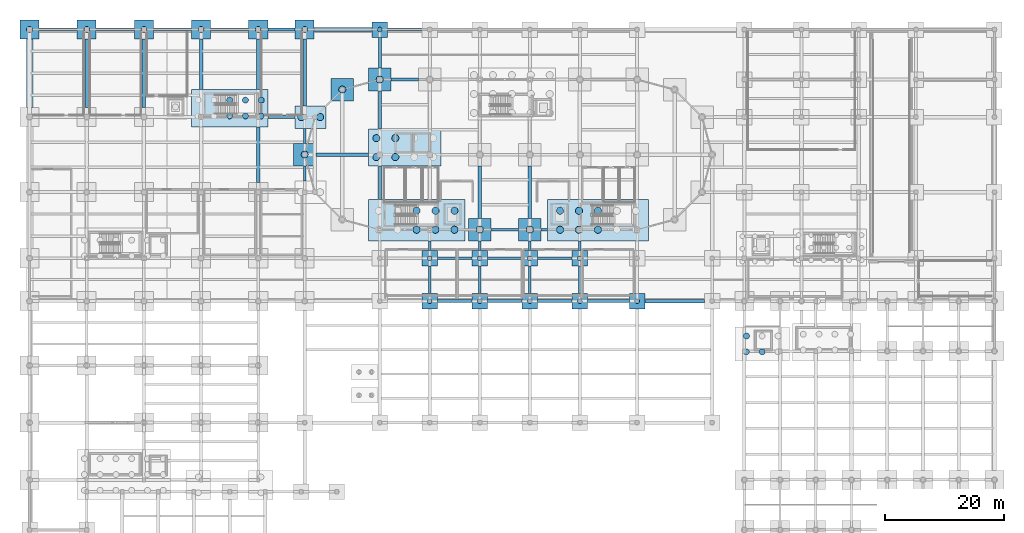
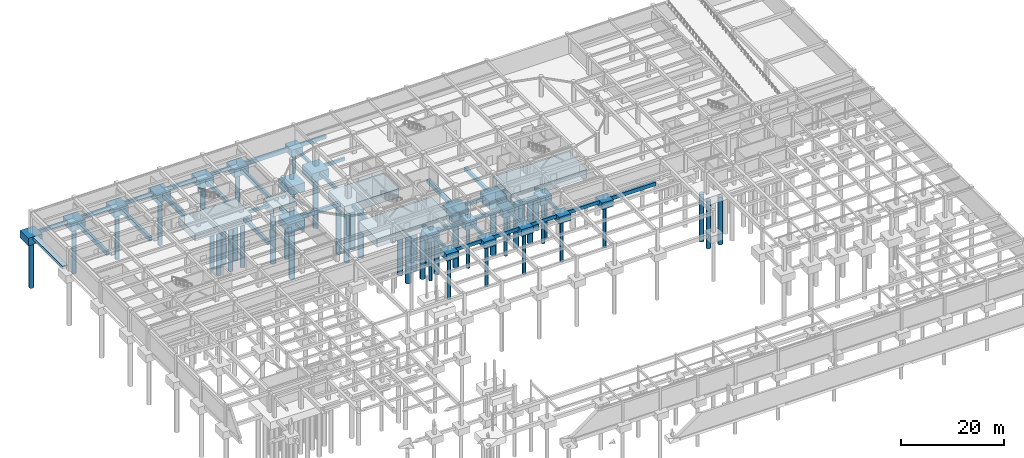
# One storey, part 4 of 37: 68 footings, 48 piles.
"""IFC4 building model written with IfcOpenShell, lengths in metres."""

from ifc_helpers import new_model, si_unit, direction, frame, origin, origin_2d, place, context, subcontext, project, spatial, rectangle, circle, extrude, material, material_profile, profile_set, type_object, element, save


model = new_model("IFC4")

# Units and contexts
model_context = context("Model", 3, precision=1e-05, world=origin(), true_north=direction((0.0, 1.0)))
body_context = subcontext(model_context, "Body", "Model", "MODEL_VIEW")
ifc_project = project(units=[si_unit("LENGTHUNIT", "METRE"), si_unit("AREAUNIT", "SQUARE_METRE"), si_unit("VOLUMEUNIT", "CUBIC_METRE"), si_unit("PLANEANGLEUNIT", "RADIAN"), si_unit("MASSUNIT", "GRAM", prefix="KILO")], contexts=[model_context])

# Site, building, storey
site_placement = place(None, origin())
site = spatial("IfcSite", under=ifc_project, at=site_placement, CompositionType="ELEMENT")
building_placement = place(site_placement, origin())
building = spatial("IfcBuilding", under=site, at=building_placement, Name="Tarnavel Promenade Courthouse", CompositionType="ELEMENT")
storey_placement = place(building_placement, frame((0.0, 0.0, -4.800048828125)))
storey = spatial("IfcBuildingStorey", under=building, at=storey_placement, Name="B01", CompositionType="ELEMENT", Elevation=-4.800048828125)

# Piles
ifc_material_1 = material(Name="Concrete C30/37", Category="concrete")
ifc_material_profile_1 = material_profile(ifc_material_1, circle(Radius=0.5, at=origin_2d()), Name="PILE D1000")
ifc_profile_set_1 = profile_set([ifc_material_profile_1], Name="Concrete C30/37")
pile_type_1 = type_object("IfcPileType", Name="Concrete C30/37 PIL-D1000 (PILE D1000)", PredefinedType="BORED", material=ifc_profile_set_1)
for number, where, z_axis, x_axis, name in (
    (1, (120.35009765625, 58.699951171875, -2.119873046875), (0.0, 0.0, -1.0), (1.0, 0.0, 0.0), "Bored Pile 093-11"),
    (2, (120.35009765625, 61.35009765625, -2.119873046875), (0.0, 0.0, -1.0), (1.0, 0.0, 0.0), "Bored Pile 093-12"),
    (3, (123.0, 58.699951171875, -2.119873046875), (0.0, 0.0, -1.0), (1.0, 0.0, 0.0), "Bored Pile 093-21"),
    (4, (33.60009765625, 98.2900390625, -2.119873046875), (0.0, 0.0, -1.0), (1.0, 0.0, 0.0), "Bored Pile 166-31"),
    (5, (33.60009765625, 100.93994140625, -2.119873046875), (0.0, 0.0, -1.0), (1.0, 0.0, 0.0), "Bored Pile 166-32"),
    (6, (36.25, 98.2900390625, -2.119873046875), (0.0, 0.0, -1.0), (1.0, 0.0, 0.0), "Bored Pile 166-41"),
    (7, (36.25, 100.93994140625, -2.119873046875), (0.0, 0.0, -1.0), (1.0, 0.0, 0.0), "Bored Pile 166-42"),
    (8, (38.89990234375, 98.2900390625, -2.119873046875), (0.0, 0.0, -1.0), (1.0, 0.0, 0.0), "Bored Pile 166-51"),
    (9, (38.89990234375, 100.93994140625, -2.119873046875), (0.0, 0.0, -1.0), (1.0, 0.0, 0.0), "Bored Pile 166-52"),
    (10, (0.0, 112.800048828125, -2.119873046875), (0.0, 0.0, -1.0), (1.0, 0.0, 0.0), "Bored Pile 185-11"),
    (11, (9.60009765625, 112.800048828125, -2.119873046875), (0.0, 0.0, -1.0), (1.0, 0.0, 0.0), "Bored Pile 186-11"),
    (12, (19.199951171875, 112.800048828125, -2.119873046875), (0.0, 0.0, -1.0), (1.0, 0.0, 0.0), "Bored Pile 187-11"),
    (13, (28.800048828125, 112.800048828125, -2.119873046875), (0.0, 0.0, -1.0), (1.0, 0.0, 0.0), "Bored Pile 188-11"),
    (14, (38.39990234375, 112.800048828125, -2.119873046875), (0.0, 0.0, -1.0), (1.0, 0.0, 0.0), "Bored Pile 189-11"),
    (15, (46.199951171875, 112.800048828125, -2.119873046875), (0.0, 0.0, -1.0), (1.0, 0.0, 0.0), "Bored Pile 190-11"),
):
    element("IfcPile", number, at=place(storey_placement, frame(where, z_axis=z_axis, x_axis=x_axis)), inside=storey, type_object=pile_type_1, Name=name, PredefinedType="BORED", context=body_context, shape_type="SweptSolid", body=[
        extrude(circle(Radius=0.5, at=origin_2d()), origin(), (0.0, 0.0, 1.0), 11.280029296875),
    ])
ifc_material_profile_2 = material_profile(ifc_material_1, circle(Radius=0.60009765625, at=origin_2d()), Name="PILE D1200")
ifc_profile_set_2 = profile_set([ifc_material_profile_2], Name="Concrete C30/37")
pile_type_2 = type_object("IfcPileType", Name="Concrete C30/37 PIL-D1200 (PILE D1200)", PredefinedType="BORED", material=ifc_profile_set_2)
for number, where, z_axis, x_axis, name in (
    (16, (64.97509765625, 79.18505859375, -2.320068359375), (0.0, 0.0, -1.0), (1.0, 0.0, 0.0), "Bored Pile 136-31"),
    (17, (64.97509765625, 82.364990234375, -2.320068359375), (0.0, 0.0, -1.0), (1.0, 0.0, 0.0), "Bored Pile 136-32"),
    (18, (68.155029296875, 79.18505859375, -2.320068359375), (0.0, 0.0, -1.0), (1.0, 0.0, 0.0), "Bored Pile 136-41"),
    (19, (68.155029296875, 82.364990234375, -2.320068359375), (0.0, 0.0, -1.0), (1.0, 0.0, 0.0), "Bored Pile 136-42"),
    (20, (71.3349609375, 79.18505859375, -2.320068359375), (0.0, 0.0, -1.0), (1.0, 0.0, 0.0), "Bored Pile 136-51"),
    (21, (71.3349609375, 82.364990234375, -2.320068359375), (0.0, 0.0, -1.0), (1.0, 0.0, 0.0), "Bored Pile 136-52"),
    (22, (75.60009765625, 79.199951171875, -2.320068359375), (0.0, 0.0, -1.0), (1.0, 0.0, 0.0), "Bored Pile 137-11"),
    (23, (84.0, 79.199951171875, -2.320068359375), (0.0, 0.0, -1.0), (1.0, 0.0, 0.0), "Bored Pile 138-11"),
    (24, (89.06494140625, 79.18505859375, -2.320068359375), (0.0, 0.0, -1.0), (1.0, 0.0, 0.0), "Bored Pile 139-11"),
    (25, (89.06494140625, 82.364990234375, -2.320068359375), (0.0, 0.0, -1.0), (1.0, 0.0, 0.0), "Bored Pile 139-12"),
    (26, (92.2451171875, 79.18505859375, -2.320068359375), (0.0, 0.0, -1.0), (1.0, 0.0, 0.0), "Bored Pile 139-21"),
    (27, (92.2451171875, 82.364990234375, -2.320068359375), (0.0, 0.0, -1.0), (1.0, 0.0, 0.0), "Bored Pile 139-22"),
    (28, (95.425048828125, 79.18505859375, -2.320068359375), (0.0, 0.0, -1.0), (1.0, 0.0, 0.0), "Bored Pile 139-31"),
    (29, (95.425048828125, 82.364990234375, -2.320068359375), (0.0, 0.0, -1.0), (1.0, 0.0, 0.0), "Bored Pile 139-32"),
    (30, (46.199951171875, 91.800048828125, -2.320068359375), (0.0, 0.0, -1.0), (1.0, 0.0, 0.0), "Bored Pile 154-11"),
    (31, (58.22998046875, 91.385009765625, -2.320068359375), (0.0, 0.0, -1.0), (1.0, 0.0, 0.0), "Bored Pile 155-11"),
    (32, (58.22998046875, 94.56494140625, -2.320068359375), (0.0, 0.0, -1.0), (1.0, 0.0, 0.0), "Bored Pile 155-12"),
    (33, (61.409912109375, 91.385009765625, -2.320068359375), (0.0, 0.0, -1.0), (1.0, 0.0, 0.0), "Bored Pile 155-21"),
    (34, (61.409912109375, 94.56494140625, -2.320068359375), (0.0, 0.0, -1.0), (1.0, 0.0, 0.0), "Bored Pile 155-22"),
    (35, (45.60400390625, 98.10009765625, -2.320068359375), (0.0, 0.0, -1.0), (1.0, 0.0, 0.0), "Bored Pile 161-11"),
    (36, (48.7841796875, 98.10009765625, -2.320068359375), (0.0, 0.0, -1.0), (1.0, 0.0, 0.0), "Bored Pile 161-21"),
    (37, (52.5, 102.7119140625, -2.320068359375), (0.0, 0.0, -1.0), (1.0, 0.0, 0.0), "Bored Pile 174-11"),
    (38, (58.800048828125, 104.39990234375, -2.320068359375), (0.0, 0.0, -1.0), (1.0, 0.0, 0.0), "Bored Pile 176-11"),
):
    element("IfcPile", number, at=place(storey_placement, frame(where, z_axis=z_axis, x_axis=x_axis)), inside=storey, type_object=pile_type_2, Name=name, PredefinedType="BORED", context=body_context, shape_type="SweptSolid", body=[
        extrude(circle(Radius=0.60009765625, at=origin_2d()), origin(), (0.0, 0.0, 1.0), 12.3798828125),
    ])
ifc_material_profile_3 = material_profile(ifc_material_1, circle(Radius=0.39990234375, at=origin_2d()), Name="PILE D800")
ifc_profile_set_3 = profile_set([ifc_material_profile_3], Name="Concrete C30/37")
pile_type_3 = type_object("IfcPileType", Name="Concrete C30/37 PIL-D800 (PILE D800)", PredefinedType="BORED", material=ifc_profile_set_3)
for number, where, z_axis, x_axis, name in (
    (39, (67.199951171875, 67.199951171875, -1.919921875), (0.0, 0.0, -1.0), (1.0, 0.0, 0.0), "Bored Pile 114-11"),
    (40, (75.60009765625, 67.199951171875, -1.919921875), (0.0, 0.0, -1.0), (1.0, 0.0, 0.0), "Bored Pile 115-11"),
    (41, (84.0, 67.199951171875, -1.919921875), (0.0, 0.0, -1.0), (1.0, 0.0, 0.0), "Bored Pile 116-11"),
    (42, (92.39990234375, 67.199951171875, -1.919921875), (0.0, 0.0, -1.0), (1.0, 0.0, 0.0), "Bored Pile 117-11"),
    (43, (102.0, 67.199951171875, -1.919921875), (0.0, 0.0, -1.0), (1.0, 0.0, 0.0), "Bored Pile 118-11"),
    (44, (67.199951171875, 74.39990234375, -1.919921875), (0.0, 0.0, -1.0), (1.0, 0.0, 0.0), "Bored Pile 126-11"),
    (45, (75.60009765625, 74.39990234375, -1.919921875), (0.0, 0.0, -1.0), (1.0, 0.0, 0.0), "Bored Pile 127-11"),
    (46, (84.0, 74.39990234375, -1.919921875), (0.0, 0.0, -1.0), (1.0, 0.0, 0.0), "Bored Pile 128-11"),
    (47, (92.39990234375, 74.39990234375, -1.919921875), (0.0, 0.0, -1.0), (1.0, 0.0, 0.0), "Bored Pile 129-11"),
    (48, (58.800048828125, 112.800048828125, -1.919921875), (0.0, 0.0, -1.0), (1.0, 0.0, 0.0), "Bored Pile 191-11"),
):
    element("IfcPile", number, at=place(storey_placement, frame(where, z_axis=z_axis, x_axis=x_axis)), inside=storey, type_object=pile_type_3, Name=name, PredefinedType="BORED", context=body_context, shape_type="SweptSolid", body=[
        extrude(circle(Radius=0.39990234375, at=origin_2d()), origin(), (0.0, 0.0, 1.0), 10.080078125),
    ])

# Footings
ifc_material_2 = material(Name="Concrete C35/45", Category="concrete")
ifc_material_profile_4 = material_profile(ifc_material_2, rectangle(XDim=0.449951171875, YDim=0.699951171875, at=origin_2d()), Name="GB 450x700")
ifc_profile_set_4 = profile_set([ifc_material_profile_4], Name="Concrete C35/45")
footing_type_1 = type_object("IfcFootingType", Name="Concrete C35/45 FTG-GB-450x700 (GB 450x700)", PredefinedType="FOOTING_BEAM", material=ifc_profile_set_4)
footing_1_placement = place(storey_placement, frame((77.5, 79.199951171875, -0.77001953125), z_axis=(1.0, 0.0, 0.0), x_axis=(0.0, 1.0, 0.0)))
element("IfcFooting", 49, at=footing_1_placement, inside=storey, type_object=footing_type_1, Name="Seismic Ground Tie Beam GB-X-115", PredefinedType="FOOTING_BEAM", context=body_context, shape_type="SweptSolid", body=[
    extrude(rectangle(XDim=0.449951171875, YDim=0.699951171875, at=origin_2d()), origin(), (0.0, 0.0, 1.0), 4.60009765625),
])
footing_2_placement = place(storey_placement, frame((85.89990234375, 79.199951171875, -0.77001953125), z_axis=(1.0, 0.0, 0.0), x_axis=(0.0, 1.0, 0.0)))
element("IfcFooting", 50, at=footing_2_placement, inside=storey, type_object=footing_type_1, Name="Seismic Ground Tie Beam GB-X-116", PredefinedType="FOOTING_BEAM", context=body_context, shape_type="SweptSolid", body=[
    extrude(rectangle(XDim=0.449951171875, YDim=0.699951171875, at=origin_2d()), origin(), (0.0, 0.0, 1.0), 1.025146484375),
])
footing_3_placement = place(storey_placement, frame((40.0, 98.10009765625, -0.77001953125), z_axis=(1.0, 0.0, 0.0), x_axis=(0.0, 1.0, 0.0)))
element("IfcFooting", 51, at=footing_3_placement, inside=storey, type_object=footing_type_1, Name="Seismic Ground Tie Beam GB-X-135", PredefinedType="FOOTING_BEAM", context=body_context, shape_type="SweptSolid", body=[
    extrude(rectangle(XDim=0.449951171875, YDim=0.699951171875, at=origin_2d()), origin(), (0.0, 0.0, 1.0), 4.593994140625),
])
for number, where, z_axis, x_axis, name in (
    (52, (60.699951171875, 104.39990234375, -0.77001953125), (1.0, 0.0, 0.0), (0.0, 1.0, 0.0), "Seismic Ground Tie Beam GB-X-141"),
    (53, (40.0, 112.800048828125, -0.77001953125), (1.0, 0.0, 0.0), (0.0, 1.0, 0.0), "Seismic Ground Tie Beam GB-X-153"),
):
    element("IfcFooting", number, at=place(storey_placement, frame(where, z_axis=z_axis, x_axis=x_axis)), inside=storey, type_object=footing_type_1, Name=name, PredefinedType="FOOTING_BEAM", context=body_context, shape_type="SweptSolid", body=[
        extrude(rectangle(XDim=0.449951171875, YDim=0.699951171875, at=origin_2d()), origin(), (0.0, 0.0, 1.0), 4.60009765625),
    ])
for number, where, z_axis, x_axis, name in (
    (54, (46.199951171875, 87.39990234375, -0.77001953125), (0.0, 1.0, 0.0), (-1.0, 0.0, 0.0), "Seismic Ground Tie Beam GB-Y-211"),
    (55, (46.199951171875, 93.699951171875, -0.77001953125), (0.0, 1.0, 0.0), (-1.0, 0.0, 0.0), "Seismic Ground Tie Beam GB-Y-212"),
):
    element("IfcFooting", number, at=place(storey_placement, frame(where, z_axis=z_axis, x_axis=x_axis)), inside=storey, type_object=footing_type_1, Name=name, PredefinedType="FOOTING_BEAM", context=body_context, shape_type="SweptSolid", body=[
        extrude(rectangle(XDim=0.449951171875, YDim=0.699951171875, at=origin_2d()), origin(), (0.0, 0.0, 1.0), 2.5),
    ])
footing_4_placement = place(storey_placement, frame((67.199951171875, 68.5, -0.77001953125), z_axis=(0.0, 1.0, 0.0), x_axis=(-1.0, 0.0, 0.0)))
element("IfcFooting", 56, at=footing_4_placement, inside=storey, type_object=footing_type_1, Name="Seismic Ground Tie Beam GB-Y-220", PredefinedType="FOOTING_BEAM", context=body_context, shape_type="SweptSolid", body=[
    extrude(rectangle(XDim=0.449951171875, YDim=0.699951171875, at=origin_2d()), origin(), (0.0, 0.0, 1.0), 4.60009765625),
])
footing_5_placement = place(storey_placement, frame((67.199951171875, 75.699951171875, -0.77001953125), z_axis=(0.0, 1.0, 0.0), x_axis=(-1.0, 0.0, 0.0)))
element("IfcFooting", 57, at=footing_5_placement, inside=storey, type_object=footing_type_1, Name="Seismic Ground Tie Beam GB-Y-221", PredefinedType="FOOTING_BEAM", context=body_context, shape_type="SweptSolid", body=[
    extrude(rectangle(XDim=0.449951171875, YDim=0.699951171875, at=origin_2d()), origin(), (0.0, 0.0, 1.0), 1.574951171875),
])
footing_6_placement = place(storey_placement, frame((75.60009765625, 68.5, -0.77001953125), z_axis=(0.0, 1.0, 0.0), x_axis=(-1.0, 0.0, 0.0)))
element("IfcFooting", 58, at=footing_6_placement, inside=storey, type_object=footing_type_1, Name="Seismic Ground Tie Beam GB-Y-226", PredefinedType="FOOTING_BEAM", context=body_context, shape_type="SweptSolid", body=[
    extrude(rectangle(XDim=0.449951171875, YDim=0.699951171875, at=origin_2d()), origin(), (0.0, 0.0, 1.0), 4.60009765625),
])
footing_7_placement = place(storey_placement, frame((75.60009765625, 75.699951171875, -0.77001953125), z_axis=(0.0, 1.0, 0.0), x_axis=(-1.0, 0.0, 0.0)))
element("IfcFooting", 59, at=footing_7_placement, inside=storey, type_object=footing_type_1, Name="Seismic Ground Tie Beam GB-Y-227", PredefinedType="FOOTING_BEAM", context=body_context, shape_type="SweptSolid", body=[
    extrude(rectangle(XDim=0.449951171875, YDim=0.699951171875, at=origin_2d()), origin(), (0.0, 0.0, 1.0), 1.60009765625),
])
footing_8_placement = place(storey_placement, frame((84.0, 68.5, -0.77001953125), z_axis=(0.0, 1.0, 0.0), x_axis=(-1.0, 0.0, 0.0)))
element("IfcFooting", 60, at=footing_8_placement, inside=storey, type_object=footing_type_1, Name="Seismic Ground Tie Beam GB-Y-232", PredefinedType="FOOTING_BEAM", context=body_context, shape_type="SweptSolid", body=[
    extrude(rectangle(XDim=0.449951171875, YDim=0.699951171875, at=origin_2d()), origin(), (0.0, 0.0, 1.0), 4.60009765625),
])
footing_9_placement = place(storey_placement, frame((84.0, 75.699951171875, -0.77001953125), z_axis=(0.0, 1.0, 0.0), x_axis=(-1.0, 0.0, 0.0)))
element("IfcFooting", 61, at=footing_9_placement, inside=storey, type_object=footing_type_1, Name="Seismic Ground Tie Beam GB-Y-233", PredefinedType="FOOTING_BEAM", context=body_context, shape_type="SweptSolid", body=[
    extrude(rectangle(XDim=0.449951171875, YDim=0.699951171875, at=origin_2d()), origin(), (0.0, 0.0, 1.0), 1.60009765625),
])
footing_10_placement = place(storey_placement, frame((92.39990234375, 68.5, -0.77001953125), z_axis=(0.0, 1.0, 0.0), x_axis=(-1.0, 0.0, 0.0)))
element("IfcFooting", 62, at=footing_10_placement, inside=storey, type_object=footing_type_1, Name="Seismic Ground Tie Beam GB-Y-238", PredefinedType="FOOTING_BEAM", context=body_context, shape_type="SweptSolid", body=[
    extrude(rectangle(XDim=0.449951171875, YDim=0.699951171875, at=origin_2d()), origin(), (0.0, 0.0, 1.0), 4.60009765625),
])
footing_11_placement = place(storey_placement, frame((92.39990234375, 75.699951171875, -0.77001953125), z_axis=(0.0, 1.0, 0.0), x_axis=(-1.0, 0.0, 0.0)))
element("IfcFooting", 63, at=footing_11_placement, inside=storey, type_object=footing_type_1, Name="Seismic Ground Tie Beam GB-Y-239", PredefinedType="FOOTING_BEAM", context=body_context, shape_type="SweptSolid", body=[
    extrude(rectangle(XDim=0.449951171875, YDim=0.699951171875, at=origin_2d()), origin(), (0.0, 0.0, 1.0), 1.574951171875),
])
ifc_material_profile_5 = material_profile(ifc_material_2, rectangle(XDim=0.5, YDim=0.800048828125, at=origin_2d()), Name="GB 500x800")
ifc_profile_set_5 = profile_set([ifc_material_profile_5], Name="Concrete C35/45")
footing_type_2 = type_object("IfcFootingType", Name="Concrete C35/45 FTG-GB-500x800 (GB 500x800)", PredefinedType="FOOTING_BEAM", material=ifc_profile_set_5)
for number, where, z_axis, x_axis, name in (
    (64, (68.5, 67.199951171875, -0.820068359375), (1.0, 0.0, 0.0), (0.0, 1.0, 0.0), "Seismic Ground Tie Beam GB-X-088"),
    (65, (76.89990234375, 67.199951171875, -0.820068359375), (1.0, 0.0, 0.0), (0.0, 1.0, 0.0), "Seismic Ground Tie Beam GB-X-089"),
    (66, (85.300048828125, 67.199951171875, -0.820068359375), (1.0, 0.0, 0.0), (0.0, 1.0, 0.0), "Seismic Ground Tie Beam GB-X-090"),
):
    element("IfcFooting", number, at=place(storey_placement, frame(where, z_axis=z_axis, x_axis=x_axis)), inside=storey, type_object=footing_type_2, Name=name, PredefinedType="FOOTING_BEAM", context=body_context, shape_type="SweptSolid", body=[
        extrude(rectangle(XDim=0.5, YDim=0.800048828125, at=origin_2d()), origin(), (0.0, 0.0, 1.0), 5.800048828125),
    ])
footing_12_placement = place(storey_placement, frame((93.699951171875, 67.199951171875, -0.820068359375), z_axis=(1.0, 0.0, 0.0), x_axis=(0.0, 1.0, 0.0)))
element("IfcFooting", 67, at=footing_12_placement, inside=storey, type_object=footing_type_2, Name="Seismic Ground Tie Beam GB-X-091", PredefinedType="FOOTING_BEAM", context=body_context, shape_type="SweptSolid", body=[
    extrude(rectangle(XDim=0.5, YDim=0.800048828125, at=origin_2d()), origin(), (0.0, 0.0, 1.0), 7.0),
])
for number, where, z_axis, x_axis, name in (
    (68, (68.5, 74.39990234375, -0.820068359375), (1.0, 0.0, 0.0), (0.0, 1.0, 0.0), "Seismic Ground Tie Beam GB-X-106"),
    (69, (76.89990234375, 74.39990234375, -0.820068359375), (1.0, 0.0, 0.0), (0.0, 1.0, 0.0), "Seismic Ground Tie Beam GB-X-107"),
    (70, (85.300048828125, 74.39990234375, -0.820068359375), (1.0, 0.0, 0.0), (0.0, 1.0, 0.0), "Seismic Ground Tie Beam GB-X-108"),
):
    element("IfcFooting", number, at=place(storey_placement, frame(where, z_axis=z_axis, x_axis=x_axis)), inside=storey, type_object=footing_type_2, Name=name, PredefinedType="FOOTING_BEAM", context=body_context, shape_type="SweptSolid", body=[
        extrude(rectangle(XDim=0.5, YDim=0.800048828125, at=origin_2d()), origin(), (0.0, 0.0, 1.0), 5.800048828125),
    ])
footing_13_placement = place(storey_placement, frame((1.60009765625, 112.800048828125, -0.820068359375), z_axis=(1.0, 0.0, 0.0), x_axis=(0.0, 1.0, 0.0)))
element("IfcFooting", 71, at=footing_13_placement, inside=storey, type_object=footing_type_2, Name="Seismic Ground Tie Beam GB-X-149", PredefinedType="FOOTING_BEAM", context=body_context, shape_type="SweptSolid", body=[
    extrude(rectangle(XDim=0.5, YDim=0.800048828125, at=origin_2d()), origin(), (0.0, 0.0, 1.0), 6.39990234375),
])
footing_14_placement = place(storey_placement, frame((11.199951171875, 112.800048828125, -0.820068359375), z_axis=(1.0, 0.0, 0.0), x_axis=(0.0, 1.0, 0.0)))
element("IfcFooting", 72, at=footing_14_placement, inside=storey, type_object=footing_type_2, Name="Seismic Ground Tie Beam GB-X-150", PredefinedType="FOOTING_BEAM", context=body_context, shape_type="SweptSolid", body=[
    extrude(rectangle(XDim=0.5, YDim=0.800048828125, at=origin_2d()), origin(), (0.0, 0.0, 1.0), 6.400146484375),
])
footing_15_placement = place(storey_placement, frame((20.800048828125, 112.800048828125, -0.820068359375), z_axis=(1.0, 0.0, 0.0), x_axis=(0.0, 1.0, 0.0)))
element("IfcFooting", 73, at=footing_15_placement, inside=storey, type_object=footing_type_2, Name="Seismic Ground Tie Beam GB-X-151", PredefinedType="FOOTING_BEAM", context=body_context, shape_type="SweptSolid", body=[
    extrude(rectangle(XDim=0.5, YDim=0.800048828125, at=origin_2d()), origin(), (0.0, 0.0, 1.0), 6.39990234375),
])
footing_16_placement = place(storey_placement, frame((30.39990234375, 112.800048828125, -0.820068359375), z_axis=(1.0, 0.0, 0.0), x_axis=(0.0, 1.0, 0.0)))
element("IfcFooting", 74, at=footing_16_placement, inside=storey, type_object=footing_type_2, Name="Seismic Ground Tie Beam GB-X-152", PredefinedType="FOOTING_BEAM", context=body_context, shape_type="SweptSolid", body=[
    extrude(rectangle(XDim=0.5, YDim=0.800048828125, at=origin_2d()), origin(), (0.0, 0.0, 1.0), 6.400146484375),
])
footing_17_placement = place(storey_placement, frame((60.10009765625, 112.800048828125, -0.820068359375), z_axis=(1.0, 0.0, 0.0), x_axis=(0.0, 1.0, 0.0)))
element("IfcFooting", 75, at=footing_17_placement, inside=storey, type_object=footing_type_2, Name="Seismic Ground Tie Beam GB-X-155", PredefinedType="FOOTING_BEAM", context=body_context, shape_type="SweptSolid", body=[
    extrude(rectangle(XDim=0.5, YDim=0.800048828125, at=origin_2d()), origin(), (0.0, 0.0, 1.0), 5.7998046875),
])
footing_18_placement = place(storey_placement, frame((58.800048828125, 84.27490234375, -0.820068359375), z_axis=(0.0, 1.0, 0.0), x_axis=(-1.0, 0.0, 0.0)))
element("IfcFooting", 76, at=footing_18_placement, inside=storey, type_object=footing_type_2, Name="Seismic Ground Tie Beam GB-Y-216", PredefinedType="FOOTING_BEAM", context=body_context, shape_type="SweptSolid", body=[
    extrude(rectangle(XDim=0.5, YDim=0.800048828125, at=origin_2d()), origin(), (0.0, 0.0, 1.0), 5.60009765625),
])
footing_19_placement = place(storey_placement, frame((58.800048828125, 96.074951171875, -0.820068359375), z_axis=(0.0, 1.0, 0.0), x_axis=(-1.0, 0.0, 0.0)))
element("IfcFooting", 77, at=footing_19_placement, inside=storey, type_object=footing_type_2, Name="Seismic Ground Tie Beam GB-Y-217", PredefinedType="FOOTING_BEAM", context=body_context, shape_type="SweptSolid", body=[
    extrude(rectangle(XDim=0.5, YDim=0.800048828125, at=origin_2d()), origin(), (0.0, 0.0, 1.0), 6.425048828125),
])
footing_20_placement = place(storey_placement, frame((58.800048828125, 106.300048828125, -0.820068359375), z_axis=(0.0, 1.0, 0.0), x_axis=(-1.0, 0.0, 0.0)))
element("IfcFooting", 78, at=footing_20_placement, inside=storey, type_object=footing_type_2, Name="Seismic Ground Tie Beam GB-Y-218", PredefinedType="FOOTING_BEAM", context=body_context, shape_type="SweptSolid", body=[
    extrude(rectangle(XDim=0.5, YDim=0.800048828125, at=origin_2d()), origin(), (0.0, 0.0, 1.0), 5.199951171875),
])
ifc_material_profile_6 = material_profile(ifc_material_2, rectangle(XDim=0.60009765625, YDim=0.89990234375, at=origin_2d()), Name="GB 600x900")
ifc_profile_set_6 = profile_set([ifc_material_profile_6], Name="Concrete C35/45")
footing_type_3 = type_object("IfcFootingType", Name="Concrete C35/45 FTG-GB-600x900 (GB 600x900)", PredefinedType="FOOTING_BEAM", material=ifc_profile_set_6)
footing_21_placement = place(storey_placement, frame((103.300048828125, 67.199951171875, -0.869873046875), z_axis=(1.0, 0.0, 0.0), x_axis=(0.0, 1.0, 0.0)))
element("IfcFooting", 79, at=footing_21_placement, inside=storey, type_object=footing_type_3, Name="Seismic Ground Tie Beam GB-X-092", PredefinedType="FOOTING_BEAM", context=body_context, shape_type="SweptSolid", body=[
    extrude(rectangle(XDim=0.60009765625, YDim=0.89990234375, at=origin_2d()), origin(), (0.0, 0.0, 1.0), 10.0),
])
footing_22_placement = place(storey_placement, frame((48.10009765625, 91.800048828125, -0.869873046875), z_axis=(1.0, 0.0, 0.0), x_axis=(0.0, 1.0, 0.0)))
element("IfcFooting", 80, at=footing_22_placement, inside=storey, type_object=footing_type_3, Name="Seismic Ground Tie Beam GB-X-127", PredefinedType="FOOTING_BEAM", context=body_context, shape_type="SweptSolid", body=[
    extrude(rectangle(XDim=0.60009765625, YDim=0.89990234375, at=origin_2d()), origin(), (0.0, 0.0, 1.0), 8.7998046875),
])
footing_23_placement = place(storey_placement, frame((47.800048828125, 112.800048828125, -0.869873046875), z_axis=(1.0, 0.0, 0.0), x_axis=(0.0, 1.0, 0.0)))
element("IfcFooting", 81, at=footing_23_placement, inside=storey, type_object=footing_type_3, Name="Seismic Ground Tie Beam GB-X-154", PredefinedType="FOOTING_BEAM", context=body_context, shape_type="SweptSolid", body=[
    extrude(rectangle(XDim=0.60009765625, YDim=0.89990234375, at=origin_2d()), origin(), (0.0, 0.0, 1.0), 9.699951171875),
])
for number, where, z_axis, x_axis, name in (
    (82, (9.60009765625, 99.699951171875, -0.869873046875), (0.0, 1.0, 0.0), (-1.0, 0.0, 0.0), "Seismic Ground Tie Beam GB-Y-185"),
    (83, (19.199951171875, 99.699951171875, -0.869873046875), (0.0, 1.0, 0.0), (-1.0, 0.0, 0.0), "Seismic Ground Tie Beam GB-Y-192"),
):
    element("IfcFooting", number, at=place(storey_placement, frame(where, z_axis=z_axis, x_axis=x_axis)), inside=storey, type_object=footing_type_3, Name=name, PredefinedType="FOOTING_BEAM", context=body_context, shape_type="SweptSolid", body=[
        extrude(rectangle(XDim=0.60009765625, YDim=0.89990234375, at=origin_2d()), origin(), (0.0, 0.0, 1.0), 11.5),
    ])
footing_24_placement = place(storey_placement, frame((28.800048828125, 102.764892578125, -0.869873046875), z_axis=(0.0, 1.0, 0.0), x_axis=(-1.0, 0.0, 0.0)))
element("IfcFooting", 84, at=footing_24_placement, inside=storey, type_object=footing_type_3, Name="Seismic Ground Tie Beam GB-Y-200", PredefinedType="FOOTING_BEAM", context=body_context, shape_type="SweptSolid", body=[
    extrude(rectangle(XDim=0.60009765625, YDim=0.89990234375, at=origin_2d()), origin(), (0.0, 0.0, 1.0), 8.43505859375),
])
footing_25_placement = place(storey_placement, frame((38.39990234375, 87.10009765625, -0.869873046875), z_axis=(0.0, 1.0, 0.0), x_axis=(-1.0, 0.0, 0.0)))
element("IfcFooting", 85, at=footing_25_placement, inside=storey, type_object=footing_type_3, Name="Seismic Ground Tie Beam GB-Y-206", PredefinedType="FOOTING_BEAM", context=body_context, shape_type="SweptSolid", body=[
    extrude(rectangle(XDim=0.60009765625, YDim=0.89990234375, at=origin_2d()), origin(), (0.0, 0.0, 1.0), 9.364990234375),
])
footing_26_placement = place(storey_placement, frame((38.39990234375, 102.764892578125, -0.869873046875), z_axis=(0.0, 1.0, 0.0), x_axis=(-1.0, 0.0, 0.0)))
element("IfcFooting", 86, at=footing_26_placement, inside=storey, type_object=footing_type_3, Name="Seismic Ground Tie Beam GB-Y-207", PredefinedType="FOOTING_BEAM", context=body_context, shape_type="SweptSolid", body=[
    extrude(rectangle(XDim=0.60009765625, YDim=0.89990234375, at=origin_2d()), origin(), (0.0, 0.0, 1.0), 8.43505859375),
])
footing_27_placement = place(storey_placement, frame((46.199951171875, 100.0, -0.869873046875), z_axis=(0.0, 1.0, 0.0), x_axis=(-1.0, 0.0, 0.0)))
element("IfcFooting", 87, at=footing_27_placement, inside=storey, type_object=footing_type_3, Name="Seismic Ground Tie Beam GB-Y-213", PredefinedType="FOOTING_BEAM", context=body_context, shape_type="SweptSolid", body=[
    extrude(rectangle(XDim=0.60009765625, YDim=0.89990234375, at=origin_2d()), origin(), (0.0, 0.0, 1.0), 11.199951171875),
])
for number, where, z_axis, x_axis, name in (
    (88, (75.60009765625, 81.10009765625, -0.869873046875), (0.0, 1.0, 0.0), (-1.0, 0.0, 0.0), "Seismic Ground Tie Beam GB-Y-228"),
    (89, (84.0, 81.10009765625, -0.869873046875), (0.0, 1.0, 0.0), (-1.0, 0.0, 0.0), "Seismic Ground Tie Beam GB-Y-234"),
):
    element("IfcFooting", number, at=place(storey_placement, frame(where, z_axis=z_axis, x_axis=x_axis)), inside=storey, type_object=footing_type_3, Name=name, PredefinedType="FOOTING_BEAM", context=body_context, shape_type="SweptSolid", body=[
        extrude(rectangle(XDim=0.60009765625, YDim=0.89990234375, at=origin_2d()), origin(), (0.0, 0.0, 1.0), 8.7998046875),
    ])
ifc_material_profile_7 = material_profile(ifc_material_2, rectangle(XDim=1.10009765625, YDim=0.64990234375, at=origin_2d()), Name="SF 1100x650")
ifc_profile_set_7 = profile_set([ifc_material_profile_7], Name="Concrete C35/45")
footing_type_4 = type_object("IfcFootingType", Name="Concrete C35/45 FTG-SF-1100x650 (SF 1100x650)", PredefinedType="STRIP_FOOTING", material=ifc_profile_set_7)
footing_28_placement = place(storey_placement, frame((0.0, 99.699951171875, -0.744873046875), z_axis=(0.0, 1.0, 0.0), x_axis=(-1.0, 0.0, 0.0)))
element("IfcFooting", 90, at=footing_28_placement, inside=storey, type_object=footing_type_4, Name="Retaining Wall Strip Footing SF-175", PredefinedType="STRIP_FOOTING", context=body_context, shape_type="SweptSolid", body=[
    extrude(rectangle(XDim=1.10009765625, YDim=0.64990234375, at=origin_2d()), origin(), (0.0, 0.0, 1.0), 11.5),
])
footing_type_5 = type_object("IfcFootingType", Name="Concrete C35/45 Pile Cap PC-01 (2600x2600x1600)", PredefinedType="PILE_CAP", material=ifc_material_2)
for number, where, z_axis, x_axis, name in (
    (91, (67.199951171875, 67.199951171875, -2.02001953125), (0.0, 0.0, 1.0), (1.0, 0.0, 0.0), "Pile Cap 114"),
    (92, (75.60009765625, 67.199951171875, -2.02001953125), (0.0, 0.0, 1.0), (1.0, 0.0, 0.0), "Pile Cap 115"),
    (93, (84.0, 67.199951171875, -2.02001953125), (0.0, 0.0, 1.0), (1.0, 0.0, 0.0), "Pile Cap 116"),
    (94, (92.39990234375, 67.199951171875, -2.02001953125), (0.0, 0.0, 1.0), (1.0, 0.0, 0.0), "Pile Cap 117"),
    (95, (102.0, 67.199951171875, -2.02001953125), (0.0, 0.0, 1.0), (1.0, 0.0, 0.0), "Pile Cap 118"),
    (96, (67.199951171875, 74.39990234375, -2.02001953125), (0.0, 0.0, 1.0), (1.0, 0.0, 0.0), "Pile Cap 126"),
    (97, (75.60009765625, 74.39990234375, -2.02001953125), (0.0, 0.0, 1.0), (1.0, 0.0, 0.0), "Pile Cap 127"),
    (98, (84.0, 74.39990234375, -2.02001953125), (0.0, 0.0, 1.0), (1.0, 0.0, 0.0), "Pile Cap 128"),
    (99, (92.39990234375, 74.39990234375, -2.02001953125), (0.0, 0.0, 1.0), (1.0, 0.0, 0.0), "Pile Cap 129"),
    (100, (58.800048828125, 112.800048828125, -2.02001953125), (0.0, 0.0, 1.0), (1.0, 0.0, 0.0), "Pile Cap 191"),
):
    element("IfcFooting", number, at=place(storey_placement, frame(where, z_axis=z_axis, x_axis=x_axis)), inside=storey, type_object=footing_type_5, Name=name, PredefinedType="PILE_CAP", context=body_context, shape_type="SweptSolid", body=[
        extrude(rectangle(XDim=2.60009765625, YDim=2.60009765625, at=origin_2d()), origin(), (0.0, 0.0, 1.0), 1.60009765625),
    ])
footing_type_6 = type_object("IfcFootingType", Name="Concrete C35/45 Pile Cap PC-06 (3200x3200x1800)", PredefinedType="PILE_CAP", material=ifc_material_2)
for number, where, z_axis, x_axis, name in (
    (101, (0.0, 112.800048828125, -2.22021484375), (0.0, 0.0, 1.0), (1.0, 0.0, 0.0), "Pile Cap 185"),
    (102, (9.60009765625, 112.800048828125, -2.22021484375), (0.0, 0.0, 1.0), (1.0, 0.0, 0.0), "Pile Cap 186"),
    (103, (19.199951171875, 112.800048828125, -2.22021484375), (0.0, 0.0, 1.0), (1.0, 0.0, 0.0), "Pile Cap 187"),
    (104, (28.800048828125, 112.800048828125, -2.22021484375), (0.0, 0.0, 1.0), (1.0, 0.0, 0.0), "Pile Cap 188"),
    (105, (38.39990234375, 112.800048828125, -2.22021484375), (0.0, 0.0, 1.0), (1.0, 0.0, 0.0), "Pile Cap 189"),
    (106, (46.199951171875, 112.800048828125, -2.22021484375), (0.0, 0.0, 1.0), (1.0, 0.0, 0.0), "Pile Cap 190"),
):
    element("IfcFooting", number, at=place(storey_placement, frame(where, z_axis=z_axis, x_axis=x_axis)), inside=storey, type_object=footing_type_6, Name=name, PredefinedType="PILE_CAP", context=body_context, shape_type="SweptSolid", body=[
        extrude(rectangle(XDim=3.199951171875, YDim=3.199951171875, at=origin_2d()), origin(), (0.0, 0.0, 1.0), 1.800048828125),
    ])
footing_type_7 = type_object("IfcFootingType", Name="Concrete C35/45 Pile Cap PC-16 (16200x7000x2000)", PredefinedType="PILE_CAP", material=ifc_material_2)
footing_29_placement = place(storey_placement, frame((64.97509765625, 80.77490234375, -2.419921875), z_axis=(0.0, 0.0, 1.0), x_axis=(1.0, 0.0, 0.0)))
element("IfcFooting", 107, at=footing_29_placement, inside=storey, type_object=footing_type_7, Name="Pile Cap 136", PredefinedType="PILE_CAP", context=body_context, shape_type="SweptSolid", body=[
    extrude(rectangle(XDim=16.199951171875, YDim=7.0, at=origin_2d()), origin(), (0.0, 0.0, 1.0), 2.0),
])
footing_type_8 = type_object("IfcFootingType", Name="Concrete C35/45 Pile Cap PC-17 (3800x3800x2000)", PredefinedType="PILE_CAP", material=ifc_material_2)
for number, where, z_axis, x_axis, name in (
    (108, (75.60009765625, 79.199951171875, -2.419921875), (0.0, 0.0, 1.0), (1.0, 0.0, 0.0), "Pile Cap 137"),
    (109, (84.0, 79.199951171875, -2.419921875), (0.0, 0.0, 1.0), (1.0, 0.0, 0.0), "Pile Cap 138"),
    (110, (46.199951171875, 91.800048828125, -2.419921875), (0.0, 0.0, 1.0), (1.0, 0.0, 0.0), "Pile Cap 154"),
    (111, (52.5, 102.7119140625, -2.419921875), (0.0, 0.0, 1.0), (1.0, 0.0, 0.0), "Pile Cap 174"),
    (112, (58.800048828125, 104.39990234375, -2.419921875), (0.0, 0.0, 1.0), (1.0, 0.0, 0.0), "Pile Cap 176"),
):
    element("IfcFooting", number, at=place(storey_placement, frame(where, z_axis=z_axis, x_axis=x_axis)), inside=storey, type_object=footing_type_8, Name=name, PredefinedType="PILE_CAP", context=body_context, shape_type="SweptSolid", body=[
        extrude(rectangle(XDim=3.800048828125, YDim=3.800048828125, at=origin_2d()), origin(), (0.0, 0.0, 1.0), 2.0),
    ])
footing_type_9 = type_object("IfcFootingType", Name="Concrete C35/45 Pile Cap PC-18 (17000x7000x2000)", PredefinedType="PILE_CAP", material=ifc_material_2)
footing_30_placement = place(storey_placement, frame((95.425048828125, 80.77490234375, -2.419921875), z_axis=(0.0, 0.0, 1.0), x_axis=(1.0, 0.0, 0.0)))
element("IfcFooting", 113, at=footing_30_placement, inside=storey, type_object=footing_type_9, Name="Pile Cap 139", PredefinedType="PILE_CAP", context=body_context, shape_type="SweptSolid", body=[
    extrude(rectangle(XDim=17.0, YDim=7.0, at=origin_2d()), origin(), (0.0, 0.0, 1.0), 2.0),
])
footing_type_10 = type_object("IfcFootingType", Name="Concrete C35/45 Pile Cap PC-19 (5200x3800x2000)", PredefinedType="PILE_CAP", material=ifc_material_2)
footing_31_placement = place(storey_placement, frame((47.194091796875, 98.10009765625, -2.419921875), z_axis=(0.0, 0.0, 1.0), x_axis=(1.0, 0.0, 0.0)))
element("IfcFooting", 114, at=footing_31_placement, inside=storey, type_object=footing_type_10, Name="Pile Cap 161", PredefinedType="PILE_CAP", context=body_context, shape_type="SweptSolid", body=[
    extrude(rectangle(XDim=5.199951171875, YDim=3.800048828125, at=origin_2d()), origin(), (0.0, 0.0, 1.0), 2.0),
])
footing_type_11 = type_object("IfcFootingType", Name="Concrete C35/45 Pile Cap PC-20 (12200x6200x2000)", PredefinedType="PILE_CAP", material=ifc_material_2)
footing_32_placement = place(storey_placement, frame((63.0, 92.97509765625, -2.419921875), z_axis=(0.0, 0.0, 1.0), x_axis=(1.0, 0.0, 0.0)))
element("IfcFooting", 115, at=footing_32_placement, inside=storey, type_object=footing_type_11, Name="Pile Cap 155", PredefinedType="PILE_CAP", context=body_context, shape_type="SweptSolid", body=[
    extrude(rectangle(XDim=12.199951171875, YDim=6.199951171875, at=origin_2d()), origin(), (0.0, 0.0, 1.0), 2.0),
])
footing_type_12 = type_object("IfcFootingType", Name="Concrete C35/45 Pile Cap PC-21 (12800x6300x1800)", PredefinedType="PILE_CAP", material=ifc_material_2)
footing_33_placement = place(storey_placement, frame((33.60009765625, 99.614990234375, -2.22021484375), z_axis=(0.0, 0.0, 1.0), x_axis=(1.0, 0.0, 0.0)))
element("IfcFooting", 116, at=footing_33_placement, inside=storey, type_object=footing_type_12, Name="Pile Cap 166", PredefinedType="PILE_CAP", context=body_context, shape_type="SweptSolid", body=[
    extrude(rectangle(XDim=12.800048828125, YDim=6.300048828125, at=origin_2d()), origin(), (0.0, 0.0, 1.0), 1.800048828125),
])

save(model, "model.ifc")
